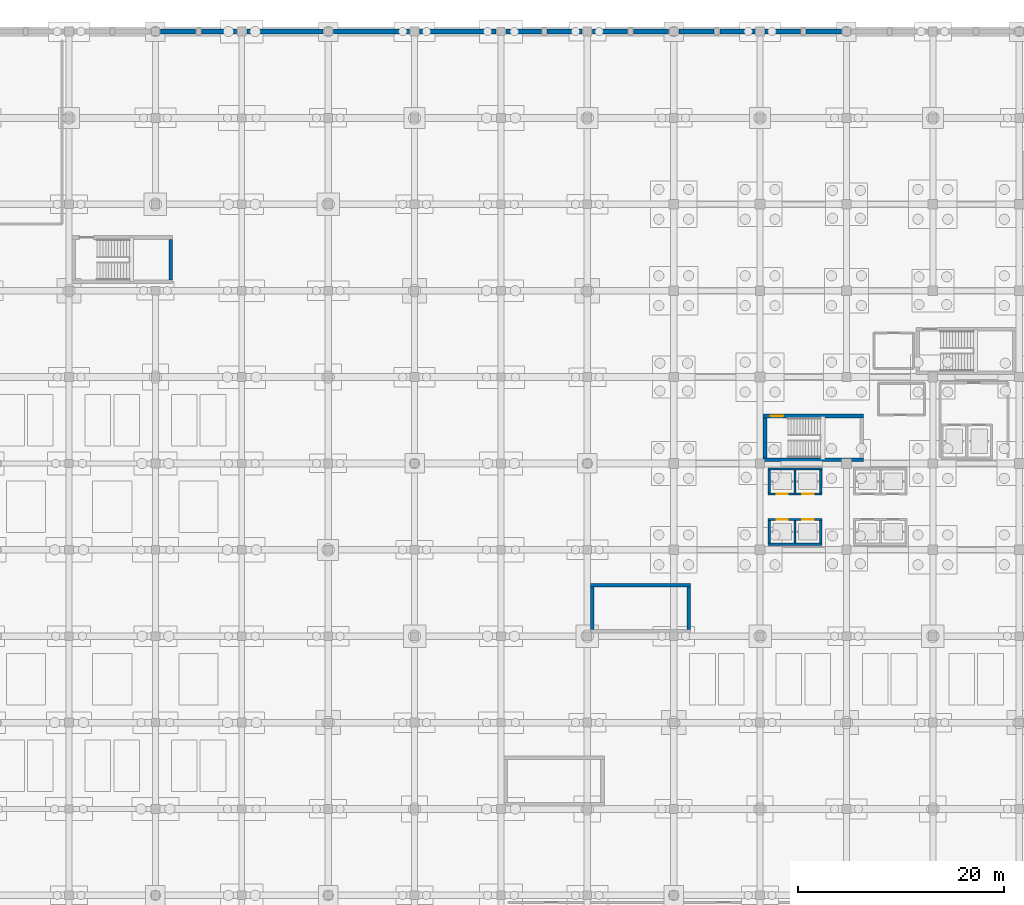
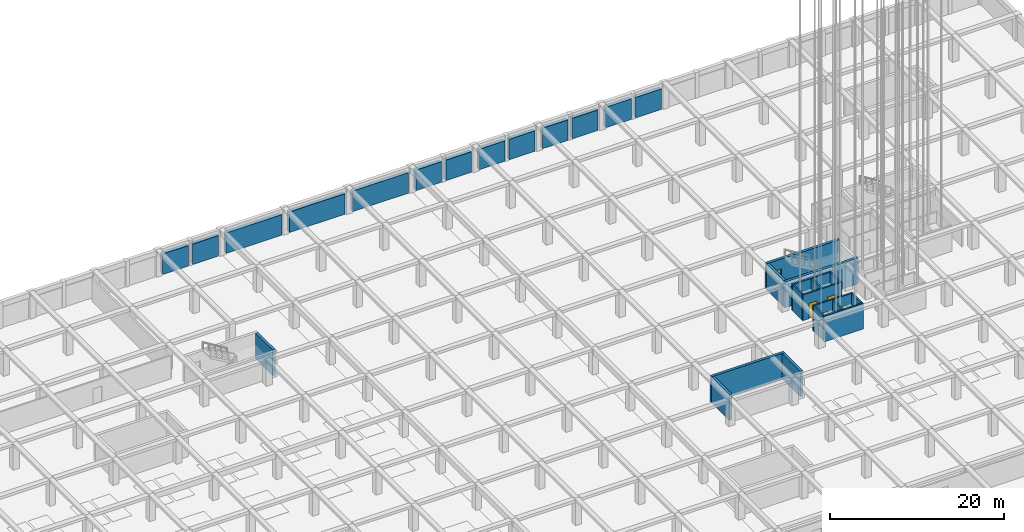
# One storey, part 21 of 47: 30 walls, 5 doors, 5 openings.
"""IFC4 building model written with IfcOpenShell, lengths in metres."""

from ifc_helpers import new_model, si_unit, direction, frame, frame_2d, origin, place, context, subcontext, project, spatial, rectangle, extrude, material, layer, layer_set, type_object, element, fill, save


model = new_model("IFC4")

# Units and contexts
model_context = context("Model", 3, precision=1e-05, world=origin(), true_north=direction((0.0, 1.0)))
body_context = subcontext(model_context, "Body", "Model", "MODEL_VIEW")
ifc_project = project(units=[si_unit("LENGTHUNIT", "METRE"), si_unit("AREAUNIT", "SQUARE_METRE"), si_unit("VOLUMEUNIT", "CUBIC_METRE"), si_unit("PLANEANGLEUNIT", "RADIAN"), si_unit("MASSUNIT", "GRAM", prefix="KILO")], contexts=[model_context])

# Site, building, storey
site_placement = place(None, origin())
site = spatial("IfcSite", under=ifc_project, at=site_placement, CompositionType="ELEMENT")
building_placement = place(site_placement, origin())
building = spatial("IfcBuilding", under=site, at=building_placement, Name="Almacenes y Pasaje Nevantli", CompositionType="ELEMENT")
storey_placement = place(building_placement, frame((0.0, 0.0, -8.10009765625)))
storey = spatial("IfcBuildingStorey", under=building, at=storey_placement, Name="B02", CompositionType="ELEMENT", Elevation=-8.10009765625)

# Wall
ifc_material_1 = material(Name="Concrete C45/55", Category="concrete")
ifc_layer_1 = layer(ifc_material_1, 0.35009765625)
ifc_layer_set_1 = layer_set([ifc_layer_1], Name="Concrete C45/55")
wall_type_1 = type_object("IfcWallType", Name="WL-CORE-350", PredefinedType="SHEAR", material=ifc_layer_set_1)
wall_1_placement = place(storey_placement, frame((117.89990234375, 75.97509765625, 0.0), z_axis=(0.0, 0.0, 1.0), x_axis=(1.0, 0.0, 0.0)))
element("IfcWall", 1, at=wall_1_placement, inside=storey, type_object=wall_type_1, Name="B02 Exit Stair ST-01 South Core Shear Wall", PredefinedType="SHEAR", context=body_context, shape_type="SweptSolid", body=[
    extrude(rectangle(XDim=9.75, YDim=0.35009765625, at=frame_2d((4.875, 0.0))), origin(), (0.0, 0.0, 1.0), 3.60009765625),
])

# Wall, opening, door
wall_2_placement = place(storey_placement, frame((117.89990234375, 80.215087890625, 0.0), z_axis=(0.0, 0.0, 1.0), x_axis=(1.0, 0.0, 0.0)))
wall_2 = element("IfcWall", 2, at=wall_2_placement, inside=storey, type_object=wall_type_1, Name="B02 Exit Stair ST-01 North Core Shear Wall", PredefinedType="SHEAR", context=body_context, shape_type="SweptSolid", body=[
    extrude(rectangle(XDim=9.75, YDim=0.35009765625, at=frame_2d((4.875, 0.0))), origin(), (0.0, 0.0, 1.0), 3.60009765625),
])
opening_1_placement = place(wall_2_placement, frame((0.719970703125, 0.0, 0.0)))
opening_1 = element("IfcOpeningElement", 3, at=opening_1_placement, cuts=wall_2, Name="Opening SD-01-B02", PredefinedType="OPENING", context=body_context, shape_type="SweptSolid", body=[
    extrude(rectangle(XDim=1.25, YDim=2.199951171875, at=frame_2d((0.625, 1.10009765625))), frame((0.0, 0.18505859375, 0.0), z_axis=(0.0, -1.0, 0.0), x_axis=(1.0, 0.0, 0.0)), (0.0, 0.0, 1.0), 0.3701171875),
])
ifc_material_2 = material(Name="Galvanized Fire-Rated Steel", Category="steel")
door_type_1 = type_object("IfcDoorType", Name="DR-STAIR-1250", OperationType="SINGLE_SWING_LEFT", PredefinedType="DOOR", material=ifc_material_2)
door_1_placement = place(opening_1_placement, origin())
door_1 = element("IfcDoor", 4, at=door_1_placement, inside=storey, type_object=door_type_1, Name="B02 Smokeproof Exit Stair ST-01 Fire Door", OperationType="SINGLE_SWING_LEFT", OverallHeight=2.199951171875, OverallWidth=1.25, PredefinedType="DOOR", context=body_context, shape_type="SweptSolid", body=[
    extrude(rectangle(XDim=1.25, YDim=2.199951171875, at=frame_2d((0.625, 1.10009765625))), frame((0.0, 0.02490234375, 0.0), z_axis=(0.0, -1.0, 0.0), x_axis=(1.0, 0.0, 0.0)), (0.0, 0.0, 1.0), 0.050048828125),
])
fill(opening_1, door_1)

# Walls
wall_3_placement = place(storey_placement, frame((118.074951171875, 76.14990234375, 0.0), z_axis=(0.0, 0.0, 1.0), x_axis=(0.0, 1.0, 0.0)))
element("IfcWall", 5, at=wall_3_placement, inside=storey, type_object=wall_type_1, Name="B02 Exit Stair ST-01 West Core Shear Wall", PredefinedType="SHEAR", context=body_context, shape_type="SweptSolid", body=[
    extrude(rectangle(XDim=3.89013671875, YDim=0.35009765625, at=frame_2d((1.945068359375, 0.0))), origin(), (0.0, 0.0, 1.0), 3.60009765625),
])
wall_4_placement = place(storey_placement, frame((60.27490234375, 93.449951171875, 0.0), z_axis=(0.0, 0.0, 1.0), x_axis=(0.0, 1.0, 0.0)))
element("IfcWall", 6, at=wall_4_placement, inside=storey, type_object=wall_type_1, Name="B02 Exit Stair ST-05 East Core Shear Wall", PredefinedType="SHEAR", context=body_context, shape_type="SweptSolid", body=[
    extrude(rectangle(XDim=3.949951171875, YDim=0.35009765625, at=frame_2d((1.97509765625, 0.0))), origin(), (0.0, 0.0, 1.0), 3.60009765625),
])
wall_5_placement = place(storey_placement, frame((101.10009765625, 63.77490234375, 0.0), z_axis=(0.0, 0.0, 1.0), x_axis=(1.0, 0.0, 0.0)))
element("IfcWall", 7, at=wall_5_placement, inside=storey, type_object=wall_type_1, Name="B02 Exit Stair ST-13 North Core Shear Wall", PredefinedType="SHEAR", context=body_context, shape_type="SweptSolid", body=[
    extrude(rectangle(XDim=9.75, YDim=0.35009765625, at=frame_2d((4.875, 0.0))), origin(), (0.0, 0.0, 1.0), 3.60009765625),
])
for number, where, z_axis, x_axis, name in (
    (8, (101.27490234375, 59.449951171875, 0.0), (0.0, 0.0, 1.0), (0.0, 1.0, 0.0), "B02 Exit Stair ST-13 West Core Shear Wall"),
    (9, (110.675048828125, 59.449951171875, 0.0), (0.0, 0.0, 1.0), (0.0, 1.0, 0.0), "B02 Exit Stair ST-13 East Core Shear Wall"),
):
    element("IfcWall", number, at=place(storey_placement, frame(where, z_axis=z_axis, x_axis=x_axis)), inside=storey, type_object=wall_type_1, Name=name, PredefinedType="SHEAR", context=body_context, shape_type="SweptSolid", body=[
        extrude(rectangle(XDim=4.150146484375, YDim=0.35009765625, at=frame_2d((2.0751953125, 0.0))), origin(), (0.0, 0.0, 1.0), 3.60009765625),
    ])
ifc_material_3 = material(Name="Concrete C45/55", Category="concrete")
ifc_layer_2 = layer(ifc_material_3, 0.5)
ifc_layer_set_2 = layer_set([ifc_layer_2], Name="Concrete C45/55")
wall_type_2 = type_object("IfcWallType", Name="WL-RET-500", PredefinedType="SHEAR", material=ifc_layer_set_2)
for number, where, z_axis, x_axis, name in (
    (10, (59.300048828125, 117.60009765625, 0.0), (0.0, 0.0, 1.0), (1.0, 0.0, 0.0), "B02 North Basement Retaining Shear Wall #8A"),
    (11, (63.280029296875, 117.60009765625, 0.0), (0.0, 0.0, 1.0), (1.0, 0.0, 0.0), "B02 North Basement Retaining Shear Wall #8B"),
):
    element("IfcWall", number, at=place(storey_placement, frame(where, z_axis=z_axis, x_axis=x_axis)), inside=storey, type_object=wall_type_2, Name=name, PredefinedType="SHEAR", context=body_context, shape_type="SweptSolid", body=[
        extrude(rectangle(XDim=3.419921875, YDim=0.5, at=frame_2d((1.7099609375, 0.0))), origin(), (0.0, 0.0, 1.0), 2.880126953125),
    ])
wall_6_placement = place(storey_placement, frame((67.699951171875, 117.60009765625, 0.0), z_axis=(0.0, 0.0, 1.0), x_axis=(1.0, 0.0, 0.0)))
element("IfcWall", 12, at=wall_6_placement, inside=storey, type_object=wall_type_2, Name="B02 North Basement Retaining Shear Wall #9", PredefinedType="SHEAR", context=body_context, shape_type="SweptSolid", body=[
    extrude(rectangle(XDim=7.400146484375, YDim=0.5, at=frame_2d((3.7001953125, 0.0))), origin(), (0.0, 0.0, 1.0), 2.880126953125),
])
for number, where, z_axis, x_axis, name in (
    (13, (76.10009765625, 117.60009765625, 0.0), (0.0, 0.0, 1.0), (1.0, 0.0, 0.0), "B02 North Basement Retaining Shear Wall #10"),
    (14, (84.5, 117.60009765625, 0.0), (0.0, 0.0, 1.0), (1.0, 0.0, 0.0), "B02 North Basement Retaining Shear Wall #11"),
):
    element("IfcWall", number, at=place(storey_placement, frame(where, z_axis=z_axis, x_axis=x_axis)), inside=storey, type_object=wall_type_2, Name=name, PredefinedType="SHEAR", context=body_context, shape_type="SweptSolid", body=[
        extrude(rectangle(XDim=7.39990234375, YDim=0.5, at=frame_2d((3.699951171875, 0.0))), origin(), (0.0, 0.0, 1.0), 2.880126953125),
    ])
for number, where, z_axis, x_axis, name in (
    (15, (92.89990234375, 117.60009765625, 0.0), (0.0, 0.0, 1.0), (1.0, 0.0, 0.0), "B02 North Basement Retaining Shear Wall #12A"),
    (16, (96.8798828125, 117.60009765625, 0.0), (0.0, 0.0, 1.0), (1.0, 0.0, 0.0), "B02 North Basement Retaining Shear Wall #12B"),
):
    element("IfcWall", number, at=place(storey_placement, frame(where, z_axis=z_axis, x_axis=x_axis)), inside=storey, type_object=wall_type_2, Name=name, PredefinedType="SHEAR", context=body_context, shape_type="SweptSolid", body=[
        extrude(rectangle(XDim=3.420166015625, YDim=0.5, at=frame_2d((1.7099609375, 0.0))), origin(), (0.0, 0.0, 1.0), 2.880126953125),
    ])
for number, where, z_axis, x_axis, name in (
    (17, (101.300048828125, 117.60009765625, 0.0), (0.0, 0.0, 1.0), (1.0, 0.0, 0.0), "B02 North Basement Retaining Shear Wall #13A"),
    (18, (105.280029296875, 117.60009765625, 0.0), (0.0, 0.0, 1.0), (1.0, 0.0, 0.0), "B02 North Basement Retaining Shear Wall #13B"),
):
    element("IfcWall", number, at=place(storey_placement, frame(where, z_axis=z_axis, x_axis=x_axis)), inside=storey, type_object=wall_type_2, Name=name, PredefinedType="SHEAR", context=body_context, shape_type="SweptSolid", body=[
        extrude(rectangle(XDim=3.419921875, YDim=0.5, at=frame_2d((1.7099609375, 0.0))), origin(), (0.0, 0.0, 1.0), 2.880126953125),
    ])
for number, where, z_axis, x_axis, name in (
    (19, (109.699951171875, 117.60009765625, 0.0), (0.0, 0.0, 1.0), (1.0, 0.0, 0.0), "B02 North Basement Retaining Shear Wall #14A"),
    (20, (113.679931640625, 117.60009765625, 0.0), (0.0, 0.0, 1.0), (1.0, 0.0, 0.0), "B02 North Basement Retaining Shear Wall #14B"),
):
    element("IfcWall", number, at=place(storey_placement, frame(where, z_axis=z_axis, x_axis=x_axis)), inside=storey, type_object=wall_type_2, Name=name, PredefinedType="SHEAR", context=body_context, shape_type="SweptSolid", body=[
        extrude(rectangle(XDim=3.420166015625, YDim=0.5, at=frame_2d((1.7099609375, 0.0))), origin(), (0.0, 0.0, 1.0), 2.880126953125),
    ])
for number, where, z_axis, x_axis, name in (
    (21, (118.10009765625, 117.60009765625, 0.0), (0.0, 0.0, 1.0), (1.0, 0.0, 0.0), "B02 North Basement Retaining Shear Wall #15A"),
    (22, (122.080078125, 117.60009765625, 0.0), (0.0, 0.0, 1.0), (1.0, 0.0, 0.0), "B02 North Basement Retaining Shear Wall #15B"),
):
    element("IfcWall", number, at=place(storey_placement, frame(where, z_axis=z_axis, x_axis=x_axis)), inside=storey, type_object=wall_type_2, Name=name, PredefinedType="SHEAR", context=body_context, shape_type="SweptSolid", body=[
        extrude(rectangle(XDim=3.419921875, YDim=0.5, at=frame_2d((1.7099609375, 0.0))), origin(), (0.0, 0.0, 1.0), 2.880126953125),
    ])
ifc_material_4 = material(Name="Concrete C45/55", Category="concrete")
ifc_layer_3 = layer(ifc_material_4, 0.2099609375)
ifc_layer_set_3 = layer_set([ifc_layer_3], Name="Concrete C45/55")
wall_type_3 = type_object("IfcWallType", Name="WL-SHAFT-210", PredefinedType="SHEAR", material=ifc_layer_set_3)
wall_7_placement = place(storey_placement, frame((118.389892578125, 67.7451171875, 0.0), z_axis=(0.0, 0.0, 1.0), x_axis=(1.0, 0.0, 0.0)))
element("IfcWall", 23, at=wall_7_placement, inside=storey, type_object=wall_type_3, Name="B02 Lift Hoistway ELV-P05-ELV-P06 South Wall", PredefinedType="SHEAR", context=body_context, shape_type="SweptSolid", body=[
    extrude(rectangle(XDim=5.22021484375, YDim=0.2099609375, at=frame_2d((2.610107421875, 0.0))), origin(), (0.0, 0.0, 1.0), 3.60009765625),
])

# Wall, openings, doors
wall_8_placement = place(storey_placement, frame((118.389892578125, 70.155029296875, 0.0), z_axis=(0.0, 0.0, 1.0), x_axis=(1.0, 0.0, 0.0)))
wall_8 = element("IfcWall", 24, at=wall_8_placement, inside=storey, type_object=wall_type_3, Name="B02 Lift Hoistway ELV-P05-ELV-P06 North Wall", PredefinedType="SHEAR", context=body_context, shape_type="SweptSolid", body=[
    extrude(rectangle(XDim=5.22021484375, YDim=0.2099609375, at=frame_2d((2.610107421875, 0.0))), origin(), (0.0, 0.0, 1.0), 3.60009765625),
])
opening_2_placement = place(wall_8_placement, frame((0.81005859375, 0.0, 0.0)))
opening_2 = element("IfcOpeningElement", 25, at=opening_2_placement, cuts=wall_8, Name="Opening LD-P05-B02", PredefinedType="OPENING", context=body_context, shape_type="SweptSolid", body=[
    extrude(rectangle(XDim=1.10009765625, YDim=2.14990234375, at=frame_2d((0.550048828125, 1.074951171875))), frame((0.0, 0.114990234375, 0.0), z_axis=(0.0, -1.0, 0.0), x_axis=(1.0, 0.0, 0.0)), (0.0, 0.0, 1.0), 0.22998046875),
])
opening_3_placement = place(wall_8_placement, frame((3.31005859375, 0.0, 0.0)))
opening_3 = element("IfcOpeningElement", 26, at=opening_3_placement, cuts=wall_8, Name="Opening LD-P06-B02", PredefinedType="OPENING", context=body_context, shape_type="SweptSolid", body=[
    extrude(rectangle(XDim=1.10009765625, YDim=2.14990234375, at=frame_2d((0.550048828125, 1.074951171875))), frame((0.0, 0.114990234375, 0.0), z_axis=(0.0, -1.0, 0.0), x_axis=(1.0, 0.0, 0.0)), (0.0, 0.0, 1.0), 0.22998046875),
])
ifc_material_5 = material(Name="Brushed Stainless Steel", Category="steel")
door_type_2 = type_object("IfcDoorType", Name="DR-LD-PASS-1100", OperationType="DOUBLE_DOOR_SLIDING", PredefinedType="DOOR", material=ifc_material_5)
door_2_placement = place(opening_2_placement, origin())
door_2 = element("IfcDoor", 27, at=door_2_placement, inside=storey, type_object=door_type_2, Name="Lift Landing Door ELV-P05 B02", OperationType="DOUBLE_DOOR_SLIDING", OverallHeight=2.14990234375, OverallWidth=1.10009765625, PredefinedType="DOOR", context=body_context, shape_type="SweptSolid", body=[
    extrude(rectangle(XDim=1.10009765625, YDim=2.14990234375, at=frame_2d((0.550048828125, 1.074951171875))), frame((0.0, 0.02490234375, 0.0), z_axis=(0.0, -1.0, 0.0), x_axis=(1.0, 0.0, 0.0)), (0.0, 0.0, 1.0), 0.050048828125),
])
fill(opening_2, door_2)
door_3_placement = place(opening_3_placement, origin())
door_3 = element("IfcDoor", 28, at=door_3_placement, inside=storey, type_object=door_type_2, Name="Lift Landing Door ELV-P06 B02", OperationType="DOUBLE_DOOR_SLIDING", OverallHeight=2.14990234375, OverallWidth=1.10009765625, PredefinedType="DOOR", context=body_context, shape_type="SweptSolid", body=[
    extrude(rectangle(XDim=1.10009765625, YDim=2.14990234375, at=frame_2d((0.550048828125, 1.074951171875))), frame((0.0, 0.02490234375, 0.0), z_axis=(0.0, -1.0, 0.0), x_axis=(1.0, 0.0, 0.0)), (0.0, 0.0, 1.0), 0.050048828125),
])
fill(opening_3, door_3)

# Walls
for number, where, z_axis, x_axis, name in (
    (29, (118.4951171875, 67.85009765625, 0.0), (0.0, 0.0, 1.0), (0.0, 1.0, 0.0), "B02 Lift Hoistway ELV-P05 West Wall"),
    (30, (123.5048828125, 67.85009765625, 0.0), (0.0, 0.0, 1.0), (0.0, 1.0, 0.0), "B02 Lift Hoistway ELV-P06 East Wall"),
    (31, (121.0, 67.85009765625, 0.0), (0.0, 0.0, 1.0), (0.0, 1.0, 0.0), "B02 Lift Hoistway Divider Wall ELV-P05/ELV-P06"),
):
    element("IfcWall", number, at=place(storey_placement, frame(where, z_axis=z_axis, x_axis=x_axis)), inside=storey, type_object=wall_type_3, Name=name, PredefinedType="SHEAR", context=body_context, shape_type="SweptSolid", body=[
        extrude(rectangle(XDim=2.199951171875, YDim=0.2099609375, at=frame_2d((1.10009765625, 0.0))), origin(), (0.0, 0.0, 1.0), 3.60009765625),
    ])

# Wall, openings, doors
wall_9_placement = place(storey_placement, frame((118.389892578125, 72.64501953125, 0.0), z_axis=(0.0, 0.0, 1.0), x_axis=(1.0, 0.0, 0.0)))
wall_9 = element("IfcWall", 32, at=wall_9_placement, inside=storey, type_object=wall_type_3, Name="B02 Lift Hoistway ELV-P07-ELV-P08 South Wall", PredefinedType="SHEAR", context=body_context, shape_type="SweptSolid", body=[
    extrude(rectangle(XDim=5.22021484375, YDim=0.2099609375, at=frame_2d((2.610107421875, 0.0))), origin(), (0.0, 0.0, 1.0), 3.60009765625),
])
opening_4_placement = place(wall_9_placement, frame((0.81005859375, 0.0, 0.0)))
opening_4 = element("IfcOpeningElement", 33, at=opening_4_placement, cuts=wall_9, Name="Opening LD-P07-B02", PredefinedType="OPENING", context=body_context, shape_type="SweptSolid", body=[
    extrude(rectangle(XDim=1.10009765625, YDim=2.14990234375, at=frame_2d((0.550048828125, 1.074951171875))), frame((0.0, 0.114990234375, 0.0), z_axis=(0.0, -1.0, 0.0), x_axis=(1.0, 0.0, 0.0)), (0.0, 0.0, 1.0), 0.22998046875),
])
opening_5_placement = place(wall_9_placement, frame((3.31005859375, 0.0, 0.0)))
opening_5 = element("IfcOpeningElement", 34, at=opening_5_placement, cuts=wall_9, Name="Opening LD-P08-B02", PredefinedType="OPENING", context=body_context, shape_type="SweptSolid", body=[
    extrude(rectangle(XDim=1.10009765625, YDim=2.14990234375, at=frame_2d((0.550048828125, 1.074951171875))), frame((0.0, 0.114990234375, 0.0), z_axis=(0.0, -1.0, 0.0), x_axis=(1.0, 0.0, 0.0)), (0.0, 0.0, 1.0), 0.22998046875),
])
door_4_placement = place(opening_4_placement, origin())
door_4 = element("IfcDoor", 35, at=door_4_placement, inside=storey, type_object=door_type_2, Name="Lift Landing Door ELV-P07 B02", OperationType="DOUBLE_DOOR_SLIDING", OverallHeight=2.14990234375, OverallWidth=1.10009765625, PredefinedType="DOOR", context=body_context, shape_type="SweptSolid", body=[
    extrude(rectangle(XDim=1.10009765625, YDim=2.14990234375, at=frame_2d((0.550048828125, 1.074951171875))), frame((0.0, 0.02490234375, 0.0), z_axis=(0.0, -1.0, 0.0), x_axis=(1.0, 0.0, 0.0)), (0.0, 0.0, 1.0), 0.050048828125),
])
fill(opening_4, door_4)
door_5_placement = place(opening_5_placement, origin())
door_5 = element("IfcDoor", 36, at=door_5_placement, inside=storey, type_object=door_type_2, Name="Lift Landing Door ELV-P08 B02", OperationType="DOUBLE_DOOR_SLIDING", OverallHeight=2.14990234375, OverallWidth=1.10009765625, PredefinedType="DOOR", context=body_context, shape_type="SweptSolid", body=[
    extrude(rectangle(XDim=1.10009765625, YDim=2.14990234375, at=frame_2d((0.550048828125, 1.074951171875))), frame((0.0, 0.02490234375, 0.0), z_axis=(0.0, -1.0, 0.0), x_axis=(1.0, 0.0, 0.0)), (0.0, 0.0, 1.0), 0.050048828125),
])
fill(opening_5, door_5)

# Walls
wall_10_placement = place(storey_placement, frame((118.389892578125, 75.054931640625, 0.0), z_axis=(0.0, 0.0, 1.0), x_axis=(1.0, 0.0, 0.0)))
element("IfcWall", 37, at=wall_10_placement, inside=storey, type_object=wall_type_3, Name="B02 Lift Hoistway ELV-P07-ELV-P08 North Wall", PredefinedType="SHEAR", context=body_context, shape_type="SweptSolid", body=[
    extrude(rectangle(XDim=5.22021484375, YDim=0.2099609375, at=frame_2d((2.610107421875, 0.0))), origin(), (0.0, 0.0, 1.0), 3.60009765625),
])
for number, where, z_axis, x_axis, name in (
    (38, (118.4951171875, 72.75, 0.0), (0.0, 0.0, 1.0), (0.0, 1.0, 0.0), "B02 Lift Hoistway ELV-P07 West Wall"),
    (39, (123.5048828125, 72.75, 0.0), (0.0, 0.0, 1.0), (0.0, 1.0, 0.0), "B02 Lift Hoistway ELV-P08 East Wall"),
    (40, (121.0, 72.75, 0.0), (0.0, 0.0, 1.0), (0.0, 1.0, 0.0), "B02 Lift Hoistway Divider Wall ELV-P07/ELV-P08"),
):
    element("IfcWall", number, at=place(storey_placement, frame(where, z_axis=z_axis, x_axis=x_axis)), inside=storey, type_object=wall_type_3, Name=name, PredefinedType="SHEAR", context=body_context, shape_type="SweptSolid", body=[
        extrude(rectangle(XDim=2.199951171875, YDim=0.2099609375, at=frame_2d((1.10009765625, 0.0))), origin(), (0.0, 0.0, 1.0), 3.60009765625),
    ])

save(model, "model.ifc")
